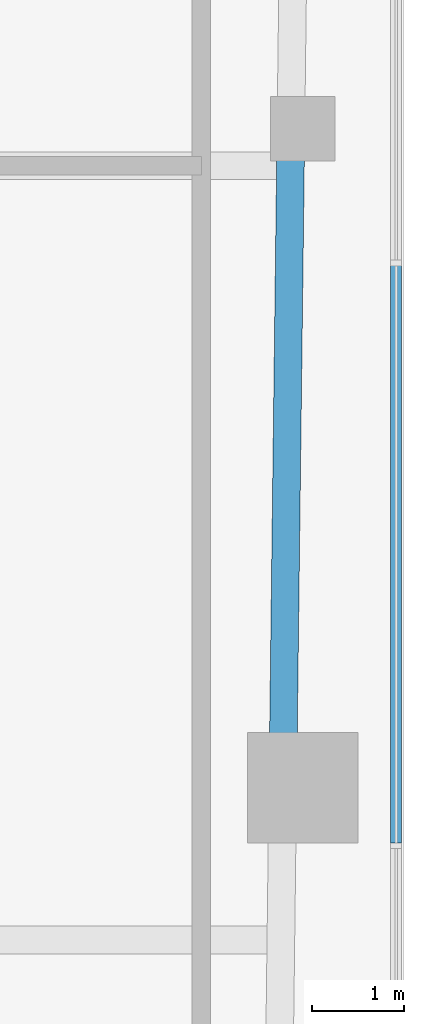
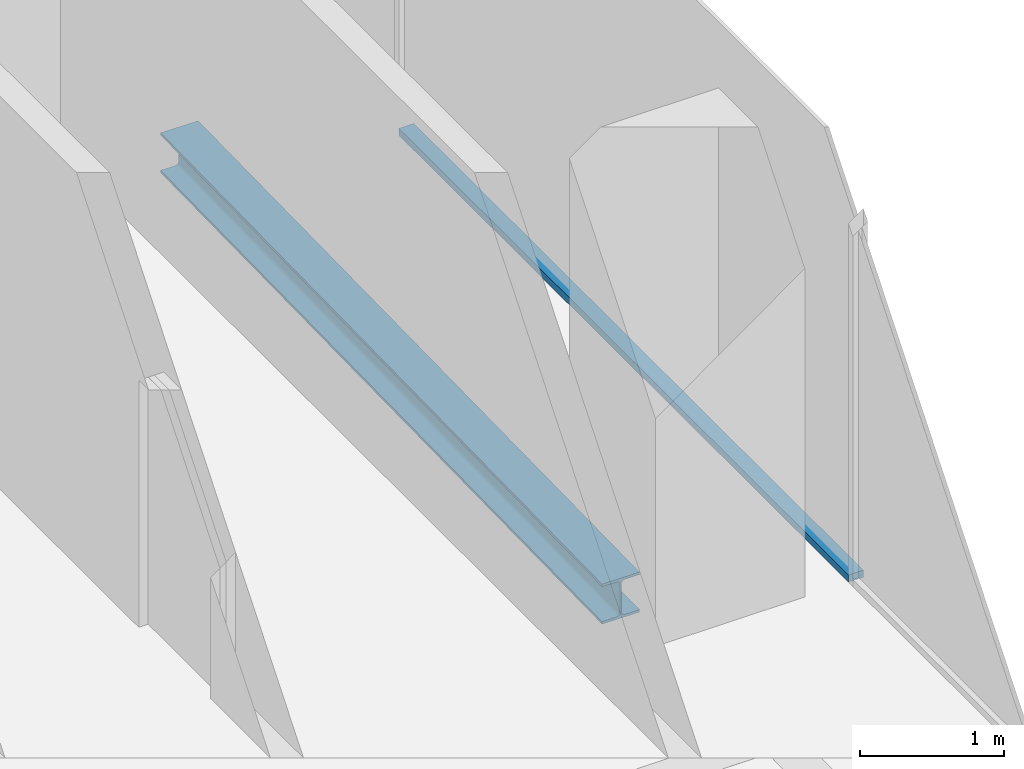
# One storey, part 7 of 19: 1 beam, 1 member, 1 element without a shape of its own.
"""IFC4 building model written with IfcOpenShell, lengths in metres."""

from ifc_helpers import new_model, si_unit, direction, frame, origin, origin_2d, place, context, subcontext, project, spatial, rectangle, i_section, extrude, material, layer, layer_set, material_profile, profile_set, type_object, element, aggregate, save


model = new_model("IFC4")

# Units and contexts
model_context = context("Model", 3, precision=1e-05, world=origin(), true_north=direction((0.0, 1.0)))
body_context = subcontext(model_context, "Body", "Model", "MODEL_VIEW")
ifc_project = project(units=[si_unit("LENGTHUNIT", "METRE"), si_unit("AREAUNIT", "SQUARE_METRE"), si_unit("VOLUMEUNIT", "CUBIC_METRE"), si_unit("PLANEANGLEUNIT", "RADIAN"), si_unit("MASSUNIT", "GRAM", prefix="KILO")], contexts=[model_context])

# Site, building, storey
site_placement = place(None, origin())
site = spatial("IfcSite", under=ifc_project, at=site_placement, CompositionType="ELEMENT")
building_placement = place(site_placement, origin())
building = spatial("IfcBuilding", under=site, at=building_placement, Name="Marenta Gate Hotel Tower", CompositionType="ELEMENT")
storey_placement = place(building_placement, frame((0.0, 0.0, 274.10009765625)))
storey = spatial("IfcBuildingStorey", under=building, at=storey_placement, Name="L63", CompositionType="ELEMENT", Elevation=274.10009765625)

# Beam
ifc_material_1 = material(Name="Steel S355", Category="steel")
ifc_material_profile_1 = material_profile(ifc_material_1, i_section(OverallWidth=0.300048828125, OverallDepth=0.340087890625, WebThickness=0.011962890625, FlangeThickness=0.021484375, FilletRadius=0.027099609375, at=origin_2d()), Name="HEB 340")
ifc_profile_set_1 = profile_set([ifc_material_profile_1], Name="Steel S355")
beam_type = type_object("IfcBeamType", Name="Edge beam HEB 340", PredefinedType="SPANDREL", material=ifc_profile_set_1)
beam_placement = place(storey_placement, frame((21.96875, 0.09326171875, -0.43017578125), z_axis=(-0.01235528937, -0.999923670499, 0.0), x_axis=(0.999923670499, -0.01235528937, 0.0)))
element("IfcBeam", 1, at=beam_placement, inside=storey, type_object=beam_type, Name="L63-EB-24", PredefinedType="SPANDREL", context=body_context, shape_type="SweptSolid", body=[
    extrude(i_section(OverallWidth=0.300048828125, OverallDepth=0.340087890625, WebThickness=0.011962890625, FlangeThickness=0.021484375, FilletRadius=0.027099609375, at=origin_2d()), origin(), (0.0, 0.0, 1.0), 6.28369140625),
])

# Curtain wall, member
ifc_material_2 = material(Name="Tinted insulated glass in bronze anodised frame", Category="glass")
ifc_layer = layer(ifc_material_2, 0.1201171875)
ifc_layer_set = layer_set([ifc_layer], Name="Tinted insulated glass in bronze anodised frame")
curtain_wall_type = type_object("IfcCurtainWallType", Name="Tower unitised curtain wall CW1", PredefinedType="NOTDEFINED", material=ifc_layer_set)
curtain_wall_placement = place(storey_placement, origin())
curtain_wall = element("IfcCurtainWall", 2, at=curtain_wall_placement, inside=storey, type_object=curtain_wall_type, Name="CW1 run G11", PredefinedType="NOTDEFINED")
ifc_material_3 = material(Name="Bronze anodised aluminium", Category="aluminium")
ifc_material_profile_2 = material_profile(ifc_material_3, rectangle(XDim=0.1201171875, YDim=0.06005859375, at=origin_2d()), Name="Transom CW1 60x120 bronze anodised aluminium")
ifc_profile_set_2 = profile_set([ifc_material_profile_2], Name="Bronze anodised aluminium")
member_type = type_object("IfcMemberType", Name="Transom CW1 60x120 bronze anodised aluminium", PredefinedType="USERDEFINED", material=ifc_profile_set_2)
member_placement = place(storey_placement, frame((23.114013671875, -7.345947265625, 0.02978515625), z_axis=(0.0, 1.0, 0.0), x_axis=(-1.0, 0.0, 0.0)))
member = element("IfcMember", 3, at=member_placement, type_object=member_type, Name="CW1 transom 4.1", ObjectType="TRANSOM", PredefinedType="USERDEFINED", context=body_context, shape_type="SweptSolid", body=[
    extrude(rectangle(XDim=0.1201171875, YDim=0.06005859375, at=origin_2d()), origin(), (0.0, 0.0, 1.0), 6.2626953125),
])
aggregate(curtain_wall, [member])

save(model, "model.ifc")
